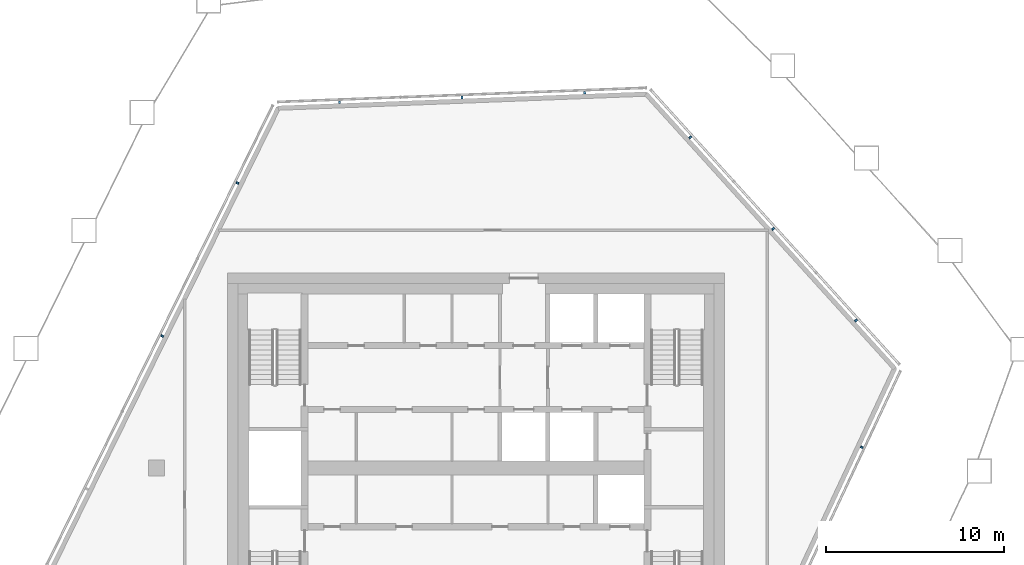
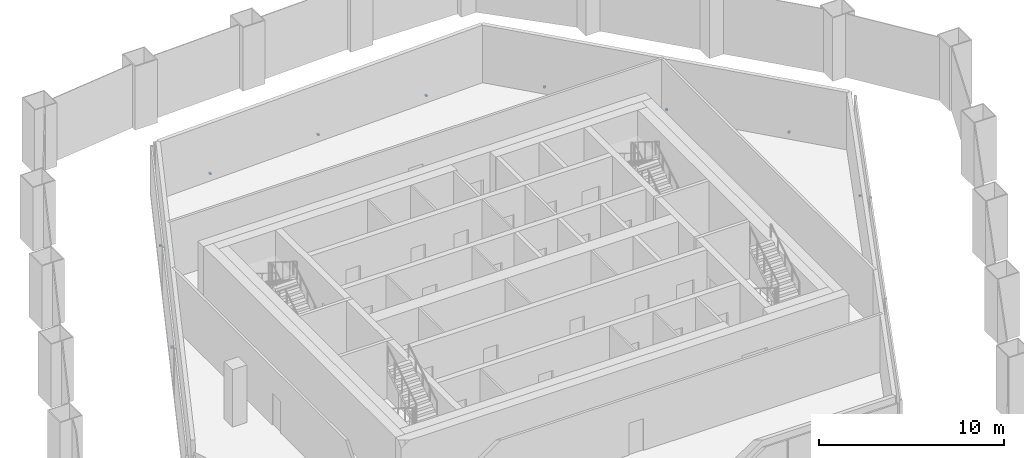
# One storey, part 11 of 18: 9 discrete accessories, 4 elements without a shape of their own.
"""IFC4 building model written with IfcOpenShell, lengths in metres."""

from ifc_helpers import new_model, si_unit, direction, frame, origin, origin_2d, place, context, subcontext, project, spatial, rectangle, extrude, material, layer, layer_set, type_object, element, aggregate, save


model = new_model("IFC4")

# Units and contexts
model_context = context("Model", 3, precision=1e-05, world=origin(), true_north=direction((0.0, 1.0)))
body_context = subcontext(model_context, "Body", "Model", "MODEL_VIEW")
ifc_project = project(units=[si_unit("LENGTHUNIT", "METRE"), si_unit("AREAUNIT", "SQUARE_METRE"), si_unit("VOLUMEUNIT", "CUBIC_METRE"), si_unit("PLANEANGLEUNIT", "RADIAN"), si_unit("MASSUNIT", "GRAM", prefix="KILO")], contexts=[model_context])

# Site, building, storey
site_placement = place(None, origin())
site = spatial("IfcSite", under=ifc_project, at=site_placement, CompositionType="ELEMENT")
building_placement = place(site_placement, origin())
building = spatial("IfcBuilding", under=site, at=building_placement, Name="Dongbaek Canopy Tower", CompositionType="ELEMENT")
storey_placement = place(building_placement, frame((0.0, 0.0, 367.39990234375)))
storey = spatial("IfcBuildingStorey", under=building, at=storey_placement, Name="L79", CompositionType="ELEMENT", Elevation=367.39990234375)

# Curtain wall, discrete accessory
ifc_material_1 = material(Name="Aluminium 6063-T6 pale anodised", Category="aluminium")
ifc_layer = layer(ifc_material_1, 0.14990234375)
ifc_layer_set = layer_set([ifc_layer], Name="CW-7 louvre curtain wall")
curtain_wall_type = type_object("IfcCurtainWallType", Name="CW-7 louvre curtain wall", PredefinedType="NOTDEFINED", material=ifc_layer_set)
curtain_wall_1_placement = place(storey_placement, origin())
curtain_wall_1 = element("IfcCurtainWall", 1, at=curtain_wall_1_placement, inside=storey, type_object=curtain_wall_type, Name="CW-7 louvre wall L79 F1", PredefinedType="NOTDEFINED")
ifc_material_2 = material(Name="Galvanised steel S355 bracket", Category="steel")
discrete_accessory_type = type_object("IfcDiscreteAccessoryType", Name="Louvre bracket BR1", PredefinedType="BRACKET", material=ifc_material_2)
discrete_accessory_1_placement = place(storey_placement, frame((21.72802734375, 1.181884765625, 0.18994140625), z_axis=(0.0, 0.0, 1.0), x_axis=(0.42412286138, 0.905604659029, 0.0)))
discrete_accessory_1 = element("IfcDiscreteAccessory", 2, at=discrete_accessory_1_placement, type_object=discrete_accessory_type, Name="Louvre bracket L79 F1.1.3", PredefinedType="BRACKET", context=body_context, shape_type="SweptSolid", body=[
    extrude(rectangle(XDim=0.1201171875, YDim=0.14990234375, at=origin_2d()), origin(), (0.0, 0.0, 1.0), 0.10009765625),
])
aggregate(curtain_wall_1, [discrete_accessory_1])

# Curtain wall, discrete accessories
curtain_wall_2_placement = place(storey_placement, origin())
curtain_wall_2 = element("IfcCurtainWall", 3, at=curtain_wall_2_placement, inside=storey, type_object=curtain_wall_type, Name="CW-7 louvre wall L79 F2", PredefinedType="NOTDEFINED")
discrete_accessory_2_placement = place(storey_placement, frame((21.397705078125, 8.324462890625, 0.18994140625), z_axis=(0.0, 0.0, 1.0), x_axis=(-0.671259717142, 0.741222228581, 0.0)))
discrete_accessory_2 = element("IfcDiscreteAccessory", 4, at=discrete_accessory_2_placement, type_object=discrete_accessory_type, Name="Louvre bracket L79 F2.1.1", PredefinedType="BRACKET", context=body_context, shape_type="SweptSolid", body=[
    extrude(rectangle(XDim=0.1201171875, YDim=0.14990234375, at=origin_2d()), origin(), (0.0, 0.0, 1.0), 0.10009765625),
])
discrete_accessory_3_placement = place(storey_placement, frame((16.731201171875, 13.4775390625, 0.18994140625), z_axis=(0.0, 0.0, 1.0), x_axis=(-0.671259717142, 0.741222228581, 0.0)))
discrete_accessory_3 = element("IfcDiscreteAccessory", 5, at=discrete_accessory_3_placement, type_object=discrete_accessory_type, Name="Louvre bracket L79 F2.1.2", PredefinedType="BRACKET", context=body_context, shape_type="SweptSolid", body=[
    extrude(rectangle(XDim=0.1201171875, YDim=0.14990234375, at=origin_2d()), origin(), (0.0, 0.0, 1.0), 0.10009765625),
])
discrete_accessory_4_placement = place(storey_placement, frame((12.064697265625, 18.63037109375, 0.18994140625), z_axis=(0.0, 0.0, 1.0), x_axis=(-0.671259717142, 0.741222228581, 0.0)))
discrete_accessory_4 = element("IfcDiscreteAccessory", 6, at=discrete_accessory_4_placement, type_object=discrete_accessory_type, Name="Louvre bracket L79 F2.1.3", PredefinedType="BRACKET", context=body_context, shape_type="SweptSolid", body=[
    extrude(rectangle(XDim=0.1201171875, YDim=0.14990234375, at=origin_2d()), origin(), (0.0, 0.0, 1.0), 0.10009765625),
])
aggregate(curtain_wall_2, [discrete_accessory_2, discrete_accessory_3, discrete_accessory_4])

curtain_wall_3_placement = place(storey_placement, origin())
curtain_wall_3 = element("IfcCurtainWall", 7, at=curtain_wall_3_placement, inside=storey, type_object=curtain_wall_type, Name="CW-7 louvre wall L79 F3", PredefinedType="NOTDEFINED")
discrete_accessory_5_placement = place(storey_placement, frame((6.121826171875, 21.14013671875, 0.18994140625), z_axis=(0.0, 0.0, 1.0), x_axis=(-0.999268890611, -0.038231979514, 0.0)))
discrete_accessory_5 = element("IfcDiscreteAccessory", 8, at=discrete_accessory_5_placement, type_object=discrete_accessory_type, Name="Louvre bracket L79 F3.1.1", PredefinedType="BRACKET", context=body_context, shape_type="SweptSolid", body=[
    extrude(rectangle(XDim=0.1201171875, YDim=0.14990234375, at=origin_2d()), origin(), (0.0, 0.0, 1.0), 0.10009765625),
])
discrete_accessory_6_placement = place(storey_placement, frame((-0.78515625, 20.8759765625, 0.18994140625), z_axis=(0.0, 0.0, 1.0), x_axis=(-0.999268890611, -0.038231979514, 0.0)))
discrete_accessory_6 = element("IfcDiscreteAccessory", 9, at=discrete_accessory_6_placement, type_object=discrete_accessory_type, Name="Louvre bracket L79 F3.1.2", PredefinedType="BRACKET", context=body_context, shape_type="SweptSolid", body=[
    extrude(rectangle(XDim=0.1201171875, YDim=0.14990234375, at=origin_2d()), origin(), (0.0, 0.0, 1.0), 0.10009765625),
])
discrete_accessory_7_placement = place(storey_placement, frame((-7.6923828125, 20.61181640625, 0.18994140625), z_axis=(0.0, 0.0, 1.0), x_axis=(-0.999268890611, -0.038231979514, 0.0)))
discrete_accessory_7 = element("IfcDiscreteAccessory", 10, at=discrete_accessory_7_placement, type_object=discrete_accessory_type, Name="Louvre bracket L79 F3.1.3", PredefinedType="BRACKET", context=body_context, shape_type="SweptSolid", body=[
    extrude(rectangle(XDim=0.1201171875, YDim=0.14990234375, at=origin_2d()), origin(), (0.0, 0.0, 1.0), 0.10009765625),
])
aggregate(curtain_wall_3, [discrete_accessory_5, discrete_accessory_6, discrete_accessory_7])

curtain_wall_4_placement = place(storey_placement, origin())
curtain_wall_4 = element("IfcCurtainWall", 11, at=curtain_wall_4_placement, inside=storey, type_object=curtain_wall_type, Name="CW-7 louvre wall L79 F4", PredefinedType="NOTDEFINED")
discrete_accessory_8_placement = place(storey_placement, frame((-13.436767578125, 16.06005859375, 0.18994140625), z_axis=(0.0, 0.0, 1.0), x_axis=(-0.441341619439, -0.897339163834, 0.0)))
discrete_accessory_8 = element("IfcDiscreteAccessory", 12, at=discrete_accessory_8_placement, type_object=discrete_accessory_type, Name="Louvre bracket L79 F4.1.1", PredefinedType="BRACKET", context=body_context, shape_type="SweptSolid", body=[
    extrude(rectangle(XDim=0.1201171875, YDim=0.14990234375, at=origin_2d()), origin(), (0.0, 0.0, 1.0), 0.10009765625),
])
discrete_accessory_9_placement = place(storey_placement, frame((-17.67431640625, 7.444091796875, 0.18994140625), z_axis=(0.0, 0.0, 1.0), x_axis=(-0.441341619439, -0.897339163834, 0.0)))
discrete_accessory_9 = element("IfcDiscreteAccessory", 13, at=discrete_accessory_9_placement, type_object=discrete_accessory_type, Name="Louvre bracket L79 F4.1.2", PredefinedType="BRACKET", context=body_context, shape_type="SweptSolid", body=[
    extrude(rectangle(XDim=0.1201171875, YDim=0.14990234375, at=origin_2d()), origin(), (0.0, 0.0, 1.0), 0.10009765625),
])
aggregate(curtain_wall_4, [discrete_accessory_8, discrete_accessory_9])

save(model, "model.ifc")
